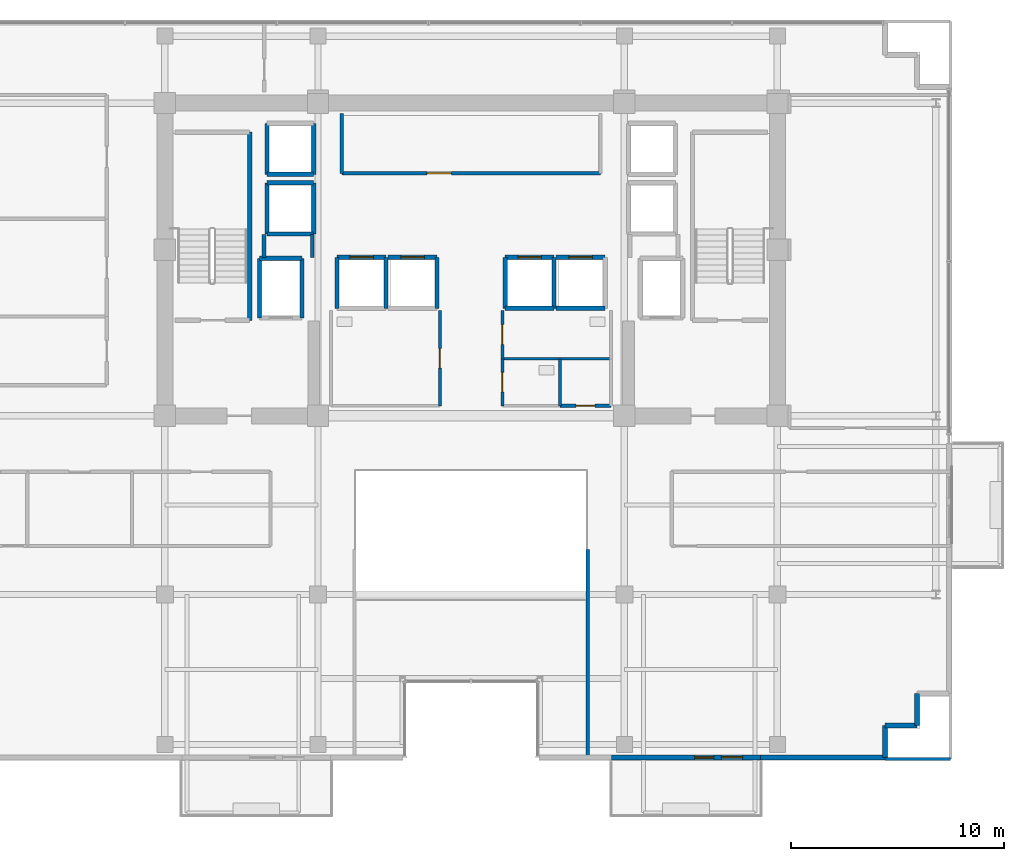
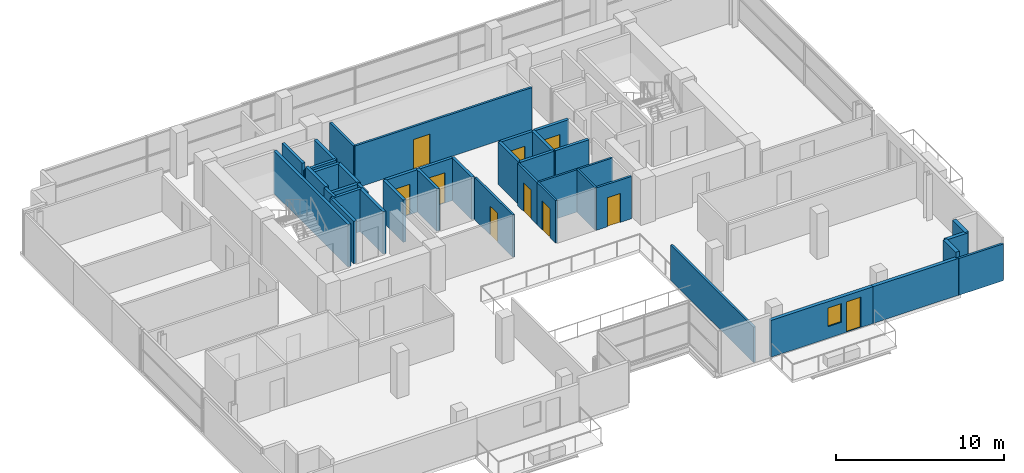
# One storey, part 19 of 25: 39 walls, 10 doors, 1 window, 11 openings.
"""IFC4 building model written with IfcOpenShell, lengths in metres."""

from ifc_helpers import new_model, si_unit, direction, frame, frame_2d, origin, place, context, subcontext, project, spatial, rectangle, extrude, source, transform, mapped, material, layer, layer_set, type_object, element, fill, save


model = new_model("IFC4")

# Units and contexts
model_context = context("Model", 3, precision=1e-05, world=origin(), true_north=direction((0.0, 1.0)))
body_context = subcontext(model_context, "Body", "Model", "MODEL_VIEW")
ifc_project = project(units=[si_unit("LENGTHUNIT", "METRE"), si_unit("AREAUNIT", "SQUARE_METRE"), si_unit("VOLUMEUNIT", "CUBIC_METRE"), si_unit("PLANEANGLEUNIT", "RADIAN"), si_unit("MASSUNIT", "GRAM", prefix="KILO")], contexts=[model_context])

# Site, building, storey
site_placement = place(None, origin())
site = spatial("IfcSite", under=ifc_project, at=site_placement, CompositionType="ELEMENT")
building_placement = place(site_placement, origin())
building = spatial("IfcBuilding", under=site, at=building_placement, Name="Zarnakvel Exchange Tower", CompositionType="ELEMENT")
storey_placement = place(building_placement, frame((0.0, 0.0, 162.699951171875)))
storey = spatial("IfcBuildingStorey", under=building, at=storey_placement, Name="L45", CompositionType="ELEMENT", Elevation=162.699951171875)

# Wall, openings, door, window
ifc_material_1 = material(Name="Precast concrete C40/50", Category="concrete")
ifc_layer_1 = layer(ifc_material_1, 0.239990234375)
ifc_layer_set_1 = layer_set([ifc_layer_1], Name="Precast concrete C40/50")
wall_type_1 = type_object("IfcWallType", Name="EW-02", PredefinedType="SOLIDWALL", material=ifc_layer_set_1)
wall_1_placement = place(storey_placement, frame((13.60009765625, -17.260009765625, 0.0), z_axis=(0.0, 0.0, 1.0), x_axis=(-1.0, 0.0, 0.0)))
wall_1 = element("IfcWall", 1, at=wall_1_placement, inside=storey, type_object=wall_type_1, Name="L45 Exterior Precast Spandrel Wall EW-BAL-L45-SE (EW-02)", PredefinedType="SOLIDWALL", context=body_context, shape_type="SweptSolid", body=[
    extrude(rectangle(XDim=7.0, YDim=0.239990234375, at=frame_2d((3.5, 0.0))), origin(), (0.0, 0.0, 1.0), 2.6650390625),
])
opening_1_placement = place(wall_1_placement, frame((0.840087890625, 0.0, 0.0)))
opening_1 = element("IfcOpeningElement", 2, at=opening_1_placement, cuts=wall_1, Name="Opening BD-L45-02", PredefinedType="OPENING", context=body_context, shape_type="SweptSolid", body=[
    extrude(rectangle(XDim=1.0, YDim=2.199951171875, at=frame_2d((0.5, 1.10009765625))), frame((0.0, 0.1298828125, 0.0), z_axis=(0.0, -1.0, 0.0), x_axis=(1.0, 0.0, 0.0)), (0.0, 0.0, 1.0), 0.260009765625),
])
opening_2_placement = place(wall_1_placement, frame((2.18994140625, 0.0, 0.85009765625)))
opening_2 = element("IfcOpeningElement", 3, at=opening_2_placement, cuts=wall_1, Name="Opening WN-06", PredefinedType="OPENING", context=body_context, shape_type="SweptSolid", body=[
    extrude(rectangle(XDim=0.89990234375, YDim=1.35009765625, at=frame_2d((0.449951171875, 0.675048828125))), frame((0.0, 0.1298828125, 0.0), z_axis=(0.0, -1.0, 0.0), x_axis=(1.0, 0.0, 0.0)), (0.0, 0.0, 1.0), 0.260009765625),
])
ifc_material_2 = material(Name="Architectural Bronze Anodised Aluminium", Category="aluminium")
door_type_1 = type_object("IfcDoorType", Name="DT-09", OperationType="NOTDEFINED", PredefinedType="DOOR", material=ifc_material_2)
shared_shape_1 = source(origin(), body_context, "Body", "SweptSolid", [
    extrude(rectangle(XDim=1.0, YDim=2.199951171875, at=frame_2d((0.5, 1.10009765625))), frame((0.0, 0.02490234375, 0.0), z_axis=(0.0, -1.0, 0.0), x_axis=(1.0, 0.0, 0.0)), (0.0, 0.0, 1.0), 0.050048828125),
])
door_1_placement = place(opening_1_placement, origin())
door_1 = element("IfcDoor", 4, at=door_1_placement, inside=storey, type_object=door_type_1, Name="L45 Planted Loggia Balcony Door BD-L45-02", OperationType="SINGLE_SWING_RIGHT", OverallHeight=2.199951171875, OverallWidth=1.0, PredefinedType="DOOR", context=body_context, shape_type="MappedRepresentation", body=[
    mapped(shared_shape_1, transform((0.0, 0.0, 0.0), x_axis=(1.0, 0.0, 0.0), y_axis=(0.0, 1.0, 0.0), z_axis=(0.0, 0.0, 1.0), scale=1.0)),
])
fill(opening_1, door_1)
ifc_material_3 = material(Name="Double Low-E Laminated Vision Glass", Category="glass")
window_type = type_object("IfcWindowType", Name="WN-06", PartitioningType="SINGLE_PANEL", PredefinedType="WINDOW", material=ifc_material_3)
shared_shape_2 = source(origin(), body_context, "Body", "SweptSolid", [
    extrude(rectangle(XDim=0.89990234375, YDim=1.35009765625, at=frame_2d((0.449951171875, 0.675048828125))), frame((0.0, 0.030029296875, 0.0), z_axis=(0.0, -1.0, 0.0), x_axis=(1.0, 0.0, 0.0)), (0.0, 0.0, 1.0), 0.06005859375),
])
window_placement = place(opening_2_placement, origin())
window = element("IfcWindow", 5, at=window_placement, inside=storey, type_object=window_type, Name="L45 Loggia Daylight Window (WN-06)", OverallHeight=1.35009765625, OverallWidth=0.89990234375, PartitioningType="SINGLE_PANEL", PredefinedType="WINDOW", context=body_context, shape_type="MappedRepresentation", body=[
    mapped(shared_shape_2, transform((0.0, 0.0, 0.0), x_axis=(1.0, 0.0, 0.0), y_axis=(0.0, 1.0, 0.0), z_axis=(0.0, 0.0, 1.0), scale=1.0)),
])
fill(opening_2, window)

# Walls
for number, where, z_axis, x_axis, name in (
    (6, (20.9599609375, -15.760009765625, 0.0), (0.0, 0.0, 1.0), (0.0, 1.0, 0.0), "L45 Exterior Precast Spandrel Wall EWC-L45-12 (EW-02)"),
    (7, (19.4599609375, -15.760009765625, 0.0), (0.0, 0.0, 1.0), (1.0, 0.0, 0.0), "L45 Exterior Precast Spandrel Wall EWC-L45-13 (EW-02)"),
    (8, (19.4599609375, -17.260009765625, 0.0), (0.0, 0.0, 1.0), (0.0, 1.0, 0.0), "L45 Exterior Precast Spandrel Wall EWC-L45-14 (EW-02)"),
):
    element("IfcWall", number, at=place(storey_placement, frame(where, z_axis=z_axis, x_axis=x_axis)), inside=storey, type_object=wall_type_1, Name=name, PredefinedType="SOLIDWALL", context=body_context, shape_type="SweptSolid", body=[
        extrude(rectangle(XDim=1.5, YDim=0.239990234375, at=frame_2d((0.75, 0.0))), origin(), (0.0, 0.0, 1.0), 3.074951171875),
    ])
wall_2_placement = place(storey_placement, frame((13.60009765625, -17.260009765625, 0.0), z_axis=(0.0, 0.0, 1.0), x_axis=(1.0, 0.0, 0.0)))
element("IfcWall", 9, at=wall_2_placement, inside=storey, type_object=wall_type_1, Name="L45 Exterior Precast Spandrel Wall EWC-L45-15 (EW-02)", PredefinedType="SOLIDWALL", context=body_context, shape_type="SweptSolid", body=[
    extrude(rectangle(XDim=5.85986328125, YDim=0.239990234375, at=frame_2d((2.929931640625, 0.0))), origin(), (0.0, 0.0, 1.0), 2.6650390625),
])

# Wall, opening, door
ifc_material_4 = material(Name="Fire-Rated Gypsum Stud Partition", Category="gypsum")
ifc_layer_2 = layer(ifc_material_4, 0.14990234375)
ifc_layer_set_2 = layer_set([ifc_layer_2], Name="Fire-Rated Gypsum Stud Partition")
wall_type_2 = type_object("IfcWallType", Name="PT-01", PredefinedType="PARTITIONING", material=ifc_layer_set_2)
wall_3_placement = place(storey_placement, frame((6.080078125, 10.199951171875, 0.0), z_axis=(0.0, 0.0, 1.0), x_axis=(-1.0, 0.0, 0.0)))
wall_3 = element("IfcWall", 10, at=wall_3_placement, inside=storey, type_object=wall_type_2, Name="L45 Partition Wall PWALL-L45-011 (PT-01)", PredefinedType="PARTITIONING", context=body_context, shape_type="SweptSolid", body=[
    extrude(rectangle(XDim=12.16015625, YDim=0.14990234375, at=frame_2d((6.080078125, 0.0))), origin(), (0.0, 0.0, 1.0), 3.074951171875),
])
opening_3_placement = place(wall_3_placement, frame((7.0048828125, 0.0, 0.0)))
opening_3 = element("IfcOpeningElement", 11, at=opening_3_placement, cuts=wall_3, Name="Opening D-L45-05", PredefinedType="OPENING", context=body_context, shape_type="SweptSolid", body=[
    extrude(rectangle(XDim=1.14990234375, YDim=2.14990234375, at=frame_2d((0.574951171875, 1.074951171875))), frame((0.0, 0.0849609375, 0.0), z_axis=(0.0, -1.0, 0.0), x_axis=(1.0, 0.0, 0.0)), (0.0, 0.0, 1.0), 0.169921875),
])
ifc_material_5 = material(Name="Painted Galvanised Steel S355", Category="steel")
door_type_2 = type_object("IfcDoorType", Name="DT-04", OperationType="NOTDEFINED", PredefinedType="DOOR", material=ifc_material_5)
shared_shape_3 = source(origin(), body_context, "Body", "SweptSolid", [
    extrude(rectangle(XDim=1.14990234375, YDim=2.14990234375, at=frame_2d((0.574951171875, 1.074951171875))), frame((0.0, 0.02490234375, 0.0), z_axis=(0.0, -1.0, 0.0), x_axis=(1.0, 0.0, 0.0)), (0.0, 0.0, 1.0), 0.050048828125),
])
door_2_placement = place(opening_3_placement, origin())
door_2 = element("IfcDoor", 12, at=door_2_placement, inside=storey, type_object=door_type_2, Name="L45 Market Data Archive Suite Door D-L45-05", OperationType="SINGLE_SWING_RIGHT", OverallHeight=2.14990234375, OverallWidth=1.14990234375, PredefinedType="DOOR", context=body_context, shape_type="MappedRepresentation", body=[
    mapped(shared_shape_3, transform((0.0, 0.0, 0.0), x_axis=(1.0, 0.0, 0.0), y_axis=(0.0, 1.0, 0.0), z_axis=(0.0, 0.0, 1.0), scale=1.0)),
])
fill(opening_3, door_2)

# Wall
wall_4_placement = place(storey_placement, frame((-6.080078125, 10.199951171875, 0.0), z_axis=(0.0, 0.0, 1.0), x_axis=(0.0, 1.0, 0.0)))
element("IfcWall", 13, at=wall_4_placement, inside=storey, type_object=wall_type_2, Name="L45 Partition Wall PWALL-L45-012 (PT-01)", PredefinedType="PARTITIONING", context=body_context, shape_type="SweptSolid", body=[
    extrude(rectangle(XDim=2.800048828125, YDim=0.14990234375, at=frame_2d((1.39990234375, 0.0))), origin(), (0.0, 0.0, 1.0), 3.074951171875),
])

# Wall, opening, door
wall_5_placement = place(storey_placement, frame((6.580078125, -0.72998046875, 0.0), z_axis=(0.0, 0.0, 1.0), x_axis=(-1.0, 0.0, 0.0)))
wall_5 = element("IfcWall", 14, at=wall_5_placement, inside=storey, type_object=wall_type_2, Name="L45 Partition Wall PWALL-L45-023 (PT-01)", PredefinedType="PARTITIONING", context=body_context, shape_type="SweptSolid", body=[
    extrude(rectangle(XDim=2.400146484375, YDim=0.14990234375, at=frame_2d((1.2001953125, 0.0))), origin(), (0.0, 0.0, 1.0), 3.074951171875),
])
opening_4_placement = place(wall_5_placement, frame((0.760009765625, 0.0, 0.0)))
opening_4 = element("IfcOpeningElement", 15, at=opening_4_placement, cuts=wall_5, Name="Opening D-L45-09", PredefinedType="OPENING", context=body_context, shape_type="SweptSolid", body=[
    extrude(rectangle(XDim=0.8798828125, YDim=2.10009765625, at=frame_2d((0.43994140625, 1.050048828125))), frame((0.0, 0.0849609375, 0.0), z_axis=(0.0, -1.0, 0.0), x_axis=(1.0, 0.0, 0.0)), (0.0, 0.0, 1.0), 0.169921875),
])
door_type_3 = type_object("IfcDoorType", Name="DT-08", OperationType="NOTDEFINED", PredefinedType="DOOR", material=ifc_material_5)
shared_shape_4 = source(origin(), body_context, "Body", "SweptSolid", [
    extrude(rectangle(XDim=0.8798828125, YDim=2.10009765625, at=frame_2d((0.43994140625, 1.050048828125))), frame((0.0, 0.02490234375, 0.0), z_axis=(0.0, -1.0, 0.0), x_axis=(1.0, 0.0, 0.0)), (0.0, 0.0, 1.0), 0.050048828125),
])
door_3_placement = place(opening_4_placement, origin())
door_3 = element("IfcDoor", 16, at=door_3_placement, inside=storey, type_object=door_type_3, Name="L45 Cleaners Store Door D-L45-09", OperationType="SINGLE_SWING_RIGHT", OverallHeight=2.10009765625, OverallWidth=0.8798828125, PredefinedType="DOOR", context=body_context, shape_type="MappedRepresentation", body=[
    mapped(shared_shape_4, transform((0.0, 0.0, 0.0), x_axis=(1.0, 0.0, 0.0), y_axis=(0.0, 1.0, 0.0), z_axis=(0.0, 0.0, 1.0), scale=1.0)),
])
fill(opening_4, door_3)

# Walls
wall_6_placement = place(storey_placement, frame((22.530029296875, -17.330078125, 0.0), z_axis=(0.0, 0.0, 1.0), x_axis=(-1.0, 0.0, 0.0)))
element("IfcWall", 17, at=wall_6_placement, inside=storey, type_object=wall_type_2, Name="L45 Partition Wall PWALL-L45-042 (PT-01)", PredefinedType="PARTITIONING", context=body_context, shape_type="SweptSolid", body=[
    extrude(rectangle(XDim=3.070068359375, YDim=0.14990234375, at=frame_2d((1.53515625, 0.0))), origin(), (0.0, 0.0, 1.0), 2.6650390625),
])
wall_7_placement = place(storey_placement, frame((5.47998046875, -17.330078125, 0.0), z_axis=(0.0, 0.0, 1.0), x_axis=(0.0, 1.0, 0.0)))
element("IfcWall", 18, at=wall_7_placement, inside=storey, type_object=wall_type_2, Name="L45 Partition Wall PWALL-L45-043 (PT-01)", PredefinedType="PARTITIONING", context=body_context, shape_type="SweptSolid", body=[
    extrude(rectangle(XDim=9.85009765625, YDim=0.14990234375, at=frame_2d((4.925048828125, 0.0))), origin(), (0.0, 0.0, 1.0), 2.56494140625),
])
ifc_layer_3 = layer(ifc_material_4, 0.179931640625)
ifc_layer_set_3 = layer_set([ifc_layer_3], Name="Fire-Rated Gypsum Stud Partition")
wall_type_3 = type_object("IfcWallType", Name="PT-02", PredefinedType="PARTITIONING", material=ifc_layer_set_3)
wall_8_placement = place(storey_placement, frame((-9.72998046875, 6.239990234375, 0.0), z_axis=(0.0, 0.0, 1.0), x_axis=(0.0, 1.0, 0.0)))
element("IfcWall", 19, at=wall_8_placement, inside=storey, type_object=wall_type_3, Name="L45 Partition Wall PWALL-L45-007 (PT-02)", PredefinedType="PARTITIONING", context=body_context, shape_type="SweptSolid", body=[
    extrude(rectangle(XDim=1.090087890625, YDim=0.179931640625, at=frame_2d((0.544921875, 0.0))), origin(), (0.0, 0.0, 1.0), 3.074951171875),
])
wall_9_placement = place(storey_placement, frame((-7.469970703125, 7.330078125, 0.0), z_axis=(0.0, 0.0, 1.0), x_axis=(0.0, -1.0, 0.0)))
element("IfcWall", 20, at=wall_9_placement, inside=storey, type_object=wall_type_3, Name="L45 Partition Wall PWALL-L45-008 (PT-02)", PredefinedType="PARTITIONING", context=body_context, shape_type="SweptSolid", body=[
    extrude(rectangle(XDim=1.090087890625, YDim=0.179931640625, at=frame_2d((0.544921875, 0.0))), origin(), (0.0, 0.0, 1.0), 2.56494140625),
])

# Wall, opening, door
ifc_material_6 = material(Name="Moisture-Resistant Tile-Faced Partition", Category="gypsum")
ifc_layer_4 = layer(ifc_material_6, 0.135009765625)
ifc_layer_set_4 = layer_set([ifc_layer_4], Name="Moisture-Resistant Tile-Faced Partition")
wall_type_4 = type_object("IfcWallType", Name="PT-03", PredefinedType="PARTITIONING", material=ifc_layer_set_4)
wall_10_placement = place(storey_placement, frame((-1.469970703125, 3.760009765625, 0.0), z_axis=(0.0, 0.0, 1.0), x_axis=(0.0, -1.0, 0.0)))
wall_10 = element("IfcWall", 21, at=wall_10_placement, inside=storey, type_object=wall_type_4, Name="L45 Partition Wall PWALL-L45-016 (PT-03)", PredefinedType="PARTITIONING", context=body_context, shape_type="SweptSolid", body=[
    extrude(rectangle(XDim=4.489990234375, YDim=0.135009765625, at=frame_2d((2.2451171875, 0.0))), origin(), (0.0, 0.0, 1.0), 3.074951171875),
])
opening_5_placement = place(wall_10_placement, frame((1.800048828125, 0.0, 0.0)))
opening_5 = element("IfcOpeningElement", 22, at=opening_5_placement, cuts=wall_10, Name="Opening D-L45-06", PredefinedType="OPENING", context=body_context, shape_type="SweptSolid", body=[
    extrude(rectangle(XDim=0.919921875, YDim=2.10009765625, at=frame_2d((0.4599609375, 1.050048828125))), frame((0.0, 0.077392578125, 0.0), z_axis=(0.0, -1.0, 0.0), x_axis=(1.0, 0.0, 0.0)), (0.0, 0.0, 1.0), 0.155029296875),
])
ifc_material_7 = material(Name="Moisture-Resistant Laminate Timber", Category="wood")
door_type_4 = type_object("IfcDoorType", Name="DT-07", OperationType="NOTDEFINED", PredefinedType="DOOR", material=ifc_material_7)
shared_shape_5 = source(origin(), body_context, "Body", "SweptSolid", [
    extrude(rectangle(XDim=0.919921875, YDim=2.10009765625, at=frame_2d((0.4599609375, 1.050048828125))), frame((0.0, 0.02490234375, 0.0), z_axis=(0.0, -1.0, 0.0), x_axis=(1.0, 0.0, 0.0)), (0.0, 0.0, 1.0), 0.050048828125),
])
door_4_placement = place(opening_5_placement, origin())
door_4 = element("IfcDoor", 23, at=door_4_placement, inside=storey, type_object=door_type_4, Name="L45 Male Toilet Door D-L45-06", OperationType="SINGLE_SWING_LEFT", OverallHeight=2.10009765625, OverallWidth=0.919921875, PredefinedType="DOOR", context=body_context, shape_type="MappedRepresentation", body=[
    mapped(shared_shape_5, transform((0.0, 0.0, 0.0), x_axis=(1.0, 0.0, 0.0), y_axis=(0.0, 1.0, 0.0), z_axis=(0.0, 0.0, 1.0), scale=1.0)),
])
fill(opening_5, door_4)

# Wall
wall_11_placement = place(storey_placement, frame((6.580078125, 1.47998046875, 0.0), z_axis=(0.0, 0.0, 1.0), x_axis=(-1.0, 0.0, 0.0)))
element("IfcWall", 24, at=wall_11_placement, inside=storey, type_object=wall_type_4, Name="L45 Partition Wall PWALL-L45-017 (PT-03)", PredefinedType="PARTITIONING", context=body_context, shape_type="SweptSolid", body=[
    extrude(rectangle(XDim=5.110107421875, YDim=0.135009765625, at=frame_2d((2.55517578125, 0.0))), origin(), (0.0, 0.0, 1.0), 3.074951171875),
])

# Wall, opening, door
wall_12_placement = place(storey_placement, frame((1.469970703125, 1.47998046875, 0.0), z_axis=(0.0, 0.0, 1.0), x_axis=(0.0, 1.0, 0.0)))
wall_12 = element("IfcWall", 25, at=wall_12_placement, inside=storey, type_object=wall_type_4, Name="L45 Partition Wall PWALL-L45-018 (PT-03)", PredefinedType="PARTITIONING", context=body_context, shape_type="SweptSolid", body=[
    extrude(rectangle(XDim=2.280029296875, YDim=0.135009765625, at=frame_2d((1.14013671875, 0.0))), origin(), (0.0, 0.0, 1.0), 3.074951171875),
])
opening_6_placement = place(wall_12_placement, frame((0.679931640625, 0.0, 0.0)))
opening_6 = element("IfcOpeningElement", 26, at=opening_6_placement, cuts=wall_12, Name="Opening D-L45-07", PredefinedType="OPENING", context=body_context, shape_type="SweptSolid", body=[
    extrude(rectangle(XDim=0.919921875, YDim=2.10009765625, at=frame_2d((0.4599609375, 1.050048828125))), frame((0.0, 0.077392578125, 0.0), z_axis=(0.0, -1.0, 0.0), x_axis=(1.0, 0.0, 0.0)), (0.0, 0.0, 1.0), 0.155029296875),
])
door_5_placement = place(opening_6_placement, origin())
door_5 = element("IfcDoor", 27, at=door_5_placement, inside=storey, type_object=door_type_4, Name="L45 Female Toilet Door D-L45-07", OperationType="SINGLE_SWING_RIGHT", OverallHeight=2.10009765625, OverallWidth=0.919921875, PredefinedType="DOOR", context=body_context, shape_type="MappedRepresentation", body=[
    mapped(shared_shape_5, transform((0.0, 0.0, 0.0), x_axis=(1.0, 0.0, 0.0), y_axis=(0.0, 1.0, 0.0), z_axis=(0.0, 0.0, 1.0), scale=1.0)),
])
fill(opening_6, door_5)

wall_13_placement = place(storey_placement, frame((1.469970703125, -0.72998046875, 0.0), z_axis=(0.0, 0.0, 1.0), x_axis=(0.0, 1.0, 0.0)))
wall_13 = element("IfcWall", 28, at=wall_13_placement, inside=storey, type_object=wall_type_4, Name="L45 Partition Wall PWALL-L45-021 (PT-03)", PredefinedType="PARTITIONING", context=body_context, shape_type="SweptSolid", body=[
    extrude(rectangle(XDim=2.2099609375, YDim=0.135009765625, at=frame_2d((1.10498046875, 0.0))), origin(), (0.0, 0.0, 1.0), 3.074951171875),
])
opening_7_placement = place(wall_13_placement, frame((0.64990234375, 0.0, 0.0)))
opening_7 = element("IfcOpeningElement", 29, at=opening_7_placement, cuts=wall_13, Name="Opening D-L45-08", PredefinedType="OPENING", context=body_context, shape_type="SweptSolid", body=[
    extrude(rectangle(XDim=0.919921875, YDim=2.10009765625, at=frame_2d((0.4599609375, 1.050048828125))), frame((0.0, 0.077392578125, 0.0), z_axis=(0.0, -1.0, 0.0), x_axis=(1.0, 0.0, 0.0)), (0.0, 0.0, 1.0), 0.155029296875),
])
door_6_placement = place(opening_7_placement, origin())
door_6 = element("IfcDoor", 30, at=door_6_placement, inside=storey, type_object=door_type_4, Name="L45 Accessible Toilet Door D-L45-08", OperationType="SINGLE_SWING_LEFT", OverallHeight=2.10009765625, OverallWidth=0.919921875, PredefinedType="DOOR", context=body_context, shape_type="MappedRepresentation", body=[
    mapped(shared_shape_5, transform((0.0, 0.0, 0.0), x_axis=(1.0, 0.0, 0.0), y_axis=(0.0, 1.0, 0.0), z_axis=(0.0, 0.0, 1.0), scale=1.0)),
])
fill(opening_7, door_6)

# Walls
wall_14_placement = place(storey_placement, frame((4.179931640625, 1.47998046875, 0.0), z_axis=(0.0, 0.0, 1.0), x_axis=(0.0, -1.0, 0.0)))
element("IfcWall", 31, at=wall_14_placement, inside=storey, type_object=wall_type_4, Name="L45 Partition Wall PWALL-L45-022 (PT-03)", PredefinedType="PARTITIONING", context=body_context, shape_type="SweptSolid", body=[
    extrude(rectangle(XDim=2.2099609375, YDim=0.135009765625, at=frame_2d((1.10498046875, 0.0))), origin(), (0.0, 0.0, 1.0), 3.074951171875),
])
ifc_material_8 = material(Name="Concrete C40/50", Category="concrete")
ifc_layer_5 = layer(ifc_material_8, 0.199951171875)
ifc_layer_set_5 = layer_set([ifc_layer_5], Name="Concrete C40/50")
wall_type_5 = type_object("IfcWallType", Name="SW-01", PredefinedType="SOLIDWALL", material=ifc_layer_set_5)
wall_15_placement = place(storey_placement, frame((-9.949951171875, 6.199951171875, 0.0), z_axis=(0.0, 0.0, 1.0), x_axis=(1.0, 0.0, 0.0)))
element("IfcWall", 32, at=wall_15_placement, inside=storey, type_object=wall_type_5, Name="L45 FL-01 Hoistway Wall North", PredefinedType="SOLIDWALL", context=body_context, shape_type="SweptSolid", body=[
    extrude(rectangle(XDim=2.0, YDim=0.199951171875, at=frame_2d((1.0, 0.0))), origin(), (0.0, 0.0, 1.0), 3.074951171875),
])
for number, where, z_axis, x_axis, name in (
    (33, (-9.949951171875, 3.39990234375, 0.0), (0.0, 0.0, 1.0), (0.0, 1.0, 0.0), "L45 FL-01 Hoistway Wall West"),
    (34, (-7.949951171875, 6.199951171875, 0.0), (0.0, 0.0, 1.0), (0.0, -1.0, 0.0), "L45 FL-01 Hoistway Wall East"),
):
    element("IfcWall", number, at=place(storey_placement, frame(where, z_axis=z_axis, x_axis=x_axis)), inside=storey, type_object=wall_type_5, Name=name, PredefinedType="SOLIDWALL", context=body_context, shape_type="SweptSolid", body=[
        extrude(rectangle(XDim=2.800048828125, YDim=0.199951171875, at=frame_2d((1.39990234375, 0.0))), origin(), (0.0, 0.0, 1.0), 3.074951171875),
    ])

# Wall, opening, door
wall_16_placement = place(storey_placement, frame((-6.300048828125, 6.25, 0.0), z_axis=(0.0, 0.0, 1.0), x_axis=(1.0, 0.0, 0.0)))
wall_16 = element("IfcWall", 35, at=wall_16_placement, inside=storey, type_object=wall_type_5, Name="L45 PL-05 Hoistway Wall North", PredefinedType="SOLIDWALL", context=body_context, shape_type="SweptSolid", body=[
    extrude(rectangle(XDim=2.300048828125, YDim=0.199951171875, at=frame_2d((1.14990234375, 0.0))), origin(), (0.0, 0.0, 1.0), 3.074951171875),
])
opening_8_placement = place(wall_16_placement, frame((0.60009765625, 0.0, 0.0)))
opening_8 = element("IfcOpeningElement", 36, at=opening_8_placement, cuts=wall_16, Name="Opening LD-PL-05-L45", PredefinedType="OPENING", context=body_context, shape_type="SweptSolid", body=[
    extrude(rectangle(XDim=1.10009765625, YDim=2.199951171875, at=frame_2d((0.550048828125, 1.10009765625))), frame((0.0, 0.10986328125, 0.0), z_axis=(0.0, -1.0, 0.0), x_axis=(1.0, 0.0, 0.0)), (0.0, 0.0, 1.0), 0.219970703125),
])
door_type_5 = type_object("IfcDoorType", Name="LDT-02", OperationType="NOTDEFINED", PredefinedType="DOOR", material=ifc_material_2)
shared_shape_6 = source(origin(), body_context, "Body", "SweptSolid", [
    extrude(rectangle(XDim=1.10009765625, YDim=2.199951171875, at=frame_2d((0.550048828125, 1.10009765625))), frame((0.0, 0.02490234375, 0.0), z_axis=(0.0, -1.0, 0.0), x_axis=(1.0, 0.0, 0.0)), (0.0, 0.0, 1.0), 0.050048828125),
])
door_7_placement = place(opening_8_placement, origin())
door_7 = element("IfcDoor", 37, at=door_7_placement, inside=storey, type_object=door_type_5, Name="L45 PL-05 Lift Landing Door LD-PL-05-L45", OperationType="DOUBLE_DOOR_SLIDING", OverallHeight=2.199951171875, OverallWidth=1.10009765625, PredefinedType="DOOR", context=body_context, shape_type="MappedRepresentation", body=[
    mapped(shared_shape_6, transform((0.0, 0.0, 0.0), x_axis=(1.0, 0.0, 0.0), y_axis=(0.0, 1.0, 0.0), z_axis=(0.0, 0.0, 1.0), scale=1.0)),
])
fill(opening_8, door_7)

# Walls
for number, where, z_axis, x_axis, name in (
    (38, (-6.300048828125, 3.85009765625, 0.0), (0.0, 0.0, 1.0), (0.0, 1.0, 0.0), "L45 PL-05 Hoistway Wall West"),
    (39, (-4.0, 6.25, 0.0), (0.0, 0.0, 1.0), (0.0, -1.0, 0.0), "L45 PL-05 Hoistway Wall East"),
):
    element("IfcWall", number, at=place(storey_placement, frame(where, z_axis=z_axis, x_axis=x_axis)), inside=storey, type_object=wall_type_5, Name=name, PredefinedType="SOLIDWALL", context=body_context, shape_type="SweptSolid", body=[
        extrude(rectangle(XDim=2.39990234375, YDim=0.199951171875, at=frame_2d((1.199951171875, 0.0))), origin(), (0.0, 0.0, 1.0), 3.074951171875),
    ])

# Wall, opening, door
wall_17_placement = place(storey_placement, frame((-3.89990234375, 6.25, 0.0), z_axis=(0.0, 0.0, 1.0), x_axis=(1.0, 0.0, 0.0)))
wall_17 = element("IfcWall", 40, at=wall_17_placement, inside=storey, type_object=wall_type_5, Name="L45 PL-06 Hoistway Wall North", PredefinedType="SOLIDWALL", context=body_context, shape_type="SweptSolid", body=[
    extrude(rectangle(XDim=2.2998046875, YDim=0.199951171875, at=frame_2d((1.14990234375, 0.0))), origin(), (0.0, 0.0, 1.0), 3.074951171875),
])
opening_9_placement = place(wall_17_placement, frame((0.60009765625, 0.0, 0.0)))
opening_9 = element("IfcOpeningElement", 41, at=opening_9_placement, cuts=wall_17, Name="Opening LD-PL-06-L45", PredefinedType="OPENING", context=body_context, shape_type="SweptSolid", body=[
    extrude(rectangle(XDim=1.10009765625, YDim=2.199951171875, at=frame_2d((0.550048828125, 1.10009765625))), frame((0.0, 0.10986328125, 0.0), z_axis=(0.0, -1.0, 0.0), x_axis=(1.0, 0.0, 0.0)), (0.0, 0.0, 1.0), 0.219970703125),
])
door_8_placement = place(opening_9_placement, origin())
door_8 = element("IfcDoor", 42, at=door_8_placement, inside=storey, type_object=door_type_5, Name="L45 PL-06 Lift Landing Door LD-PL-06-L45", OperationType="DOUBLE_DOOR_SLIDING", OverallHeight=2.199951171875, OverallWidth=1.10009765625, PredefinedType="DOOR", context=body_context, shape_type="MappedRepresentation", body=[
    mapped(shared_shape_6, transform((0.0, 0.0, 0.0), x_axis=(1.0, 0.0, 0.0), y_axis=(0.0, 1.0, 0.0), z_axis=(0.0, 0.0, 1.0), scale=1.0)),
])
fill(opening_9, door_8)

# Walls
wall_18_placement = place(storey_placement, frame((-1.60009765625, 6.25, 0.0), z_axis=(0.0, 0.0, 1.0), x_axis=(0.0, -1.0, 0.0)))
element("IfcWall", 43, at=wall_18_placement, inside=storey, type_object=wall_type_5, Name="L45 PL-06 Hoistway Wall East", PredefinedType="SOLIDWALL", context=body_context, shape_type="SweptSolid", body=[
    extrude(rectangle(XDim=2.39990234375, YDim=0.199951171875, at=frame_2d((1.199951171875, 0.0))), origin(), (0.0, 0.0, 1.0), 3.074951171875),
])
wall_19_placement = place(storey_placement, frame((3.89990234375, 3.85009765625, 0.0), z_axis=(0.0, 0.0, 1.0), x_axis=(-1.0, 0.0, 0.0)))
element("IfcWall", 44, at=wall_19_placement, inside=storey, type_object=wall_type_5, Name="L45 PL-07 Hoistway Wall South", PredefinedType="SOLIDWALL", context=body_context, shape_type="SweptSolid", body=[
    extrude(rectangle(XDim=2.2998046875, YDim=0.199951171875, at=frame_2d((1.14990234375, 0.0))), origin(), (0.0, 0.0, 1.0), 3.074951171875),
])

# Wall, opening, door
wall_20_placement = place(storey_placement, frame((1.60009765625, 6.25, 0.0), z_axis=(0.0, 0.0, 1.0), x_axis=(1.0, 0.0, 0.0)))
wall_20 = element("IfcWall", 45, at=wall_20_placement, inside=storey, type_object=wall_type_5, Name="L45 PL-07 Hoistway Wall North", PredefinedType="SOLIDWALL", context=body_context, shape_type="SweptSolid", body=[
    extrude(rectangle(XDim=2.2998046875, YDim=0.199951171875, at=frame_2d((1.14990234375, 0.0))), origin(), (0.0, 0.0, 1.0), 3.074951171875),
])
opening_10_placement = place(wall_20_placement, frame((0.60009765625, 0.0, 0.0)))
opening_10 = element("IfcOpeningElement", 46, at=opening_10_placement, cuts=wall_20, Name="Opening LD-PL-07-L45", PredefinedType="OPENING", context=body_context, shape_type="SweptSolid", body=[
    extrude(rectangle(XDim=1.10009765625, YDim=2.199951171875, at=frame_2d((0.550048828125, 1.10009765625))), frame((0.0, 0.10986328125, 0.0), z_axis=(0.0, -1.0, 0.0), x_axis=(1.0, 0.0, 0.0)), (0.0, 0.0, 1.0), 0.219970703125),
])
door_9_placement = place(opening_10_placement, origin())
door_9 = element("IfcDoor", 47, at=door_9_placement, inside=storey, type_object=door_type_5, Name="L45 PL-07 Lift Landing Door LD-PL-07-L45", OperationType="DOUBLE_DOOR_SLIDING", OverallHeight=2.199951171875, OverallWidth=1.10009765625, PredefinedType="DOOR", context=body_context, shape_type="MappedRepresentation", body=[
    mapped(shared_shape_6, transform((0.0, 0.0, 0.0), x_axis=(1.0, 0.0, 0.0), y_axis=(0.0, 1.0, 0.0), z_axis=(0.0, 0.0, 1.0), scale=1.0)),
])
fill(opening_10, door_9)

# Walls
for number, where, z_axis, x_axis, name in (
    (48, (1.60009765625, 3.85009765625, 0.0), (0.0, 0.0, 1.0), (0.0, 1.0, 0.0), "L45 PL-07 Hoistway Wall West"),
    (49, (3.89990234375, 6.25, 0.0), (0.0, 0.0, 1.0), (0.0, -1.0, 0.0), "L45 PL-07 Hoistway Wall East"),
):
    element("IfcWall", number, at=place(storey_placement, frame(where, z_axis=z_axis, x_axis=x_axis)), inside=storey, type_object=wall_type_5, Name=name, PredefinedType="SOLIDWALL", context=body_context, shape_type="SweptSolid", body=[
        extrude(rectangle(XDim=2.39990234375, YDim=0.199951171875, at=frame_2d((1.199951171875, 0.0))), origin(), (0.0, 0.0, 1.0), 3.074951171875),
    ])
wall_21_placement = place(storey_placement, frame((6.300048828125, 3.85009765625, 0.0), z_axis=(0.0, 0.0, 1.0), x_axis=(-1.0, 0.0, 0.0)))
element("IfcWall", 50, at=wall_21_placement, inside=storey, type_object=wall_type_5, Name="L45 PL-08 Hoistway Wall South", PredefinedType="SOLIDWALL", context=body_context, shape_type="SweptSolid", body=[
    extrude(rectangle(XDim=2.300048828125, YDim=0.199951171875, at=frame_2d((1.14990234375, 0.0))), origin(), (0.0, 0.0, 1.0), 3.074951171875),
])

# Wall, opening, door
wall_22_placement = place(storey_placement, frame((4.0, 6.25, 0.0), z_axis=(0.0, 0.0, 1.0), x_axis=(1.0, 0.0, 0.0)))
wall_22 = element("IfcWall", 51, at=wall_22_placement, inside=storey, type_object=wall_type_5, Name="L45 PL-08 Hoistway Wall North", PredefinedType="SOLIDWALL", context=body_context, shape_type="SweptSolid", body=[
    extrude(rectangle(XDim=2.300048828125, YDim=0.199951171875, at=frame_2d((1.14990234375, 0.0))), origin(), (0.0, 0.0, 1.0), 3.074951171875),
])
opening_11_placement = place(wall_22_placement, frame((0.60009765625, 0.0, 0.0)))
opening_11 = element("IfcOpeningElement", 52, at=opening_11_placement, cuts=wall_22, Name="Opening LD-PL-08-L45", PredefinedType="OPENING", context=body_context, shape_type="SweptSolid", body=[
    extrude(rectangle(XDim=1.10009765625, YDim=2.199951171875, at=frame_2d((0.550048828125, 1.10009765625))), frame((0.0, 0.10986328125, 0.0), z_axis=(0.0, -1.0, 0.0), x_axis=(1.0, 0.0, 0.0)), (0.0, 0.0, 1.0), 0.219970703125),
])
door_10_placement = place(opening_11_placement, origin())
door_10 = element("IfcDoor", 53, at=door_10_placement, inside=storey, type_object=door_type_5, Name="L45 PL-08 Lift Landing Door LD-PL-08-L45", OperationType="DOUBLE_DOOR_SLIDING", OverallHeight=2.199951171875, OverallWidth=1.10009765625, PredefinedType="DOOR", context=body_context, shape_type="MappedRepresentation", body=[
    mapped(shared_shape_6, transform((0.0, 0.0, 0.0), x_axis=(1.0, 0.0, 0.0), y_axis=(0.0, 1.0, 0.0), z_axis=(0.0, 0.0, 1.0), scale=1.0)),
])
fill(opening_11, door_10)

# Walls
for number, where, z_axis, x_axis, name in (
    (54, (-7.39990234375, 7.35009765625, 0.0), (0.0, 0.0, 1.0), (-1.0, 0.0, 0.0), "L45 PL-09 Hoistway Wall South"),
    (55, (-9.60009765625, 9.75, 0.0), (0.0, 0.0, 1.0), (1.0, 0.0, 0.0), "L45 PL-09 Hoistway Wall North"),
):
    element("IfcWall", number, at=place(storey_placement, frame(where, z_axis=z_axis, x_axis=x_axis)), inside=storey, type_object=wall_type_5, Name=name, PredefinedType="SOLIDWALL", context=body_context, shape_type="SweptSolid", body=[
        extrude(rectangle(XDim=2.2001953125, YDim=0.199951171875, at=frame_2d((1.10009765625, 0.0))), origin(), (0.0, 0.0, 1.0), 2.56494140625),
    ])
wall_23_placement = place(storey_placement, frame((-9.60009765625, 7.35009765625, 0.0), z_axis=(0.0, 0.0, 1.0), x_axis=(0.0, 1.0, 0.0)))
element("IfcWall", 56, at=wall_23_placement, inside=storey, type_object=wall_type_5, Name="L45 PL-09 Hoistway Wall West", PredefinedType="SOLIDWALL", context=body_context, shape_type="SweptSolid", body=[
    extrude(rectangle(XDim=2.39990234375, YDim=0.199951171875, at=frame_2d((1.199951171875, 0.0))), origin(), (0.0, 0.0, 1.0), 3.074951171875),
])
wall_24_placement = place(storey_placement, frame((-7.39990234375, 9.75, 0.0), z_axis=(0.0, 0.0, 1.0), x_axis=(0.0, -1.0, 0.0)))
element("IfcWall", 57, at=wall_24_placement, inside=storey, type_object=wall_type_5, Name="L45 PL-09 Hoistway Wall East", PredefinedType="SOLIDWALL", context=body_context, shape_type="SweptSolid", body=[
    extrude(rectangle(XDim=2.39990234375, YDim=0.199951171875, at=frame_2d((1.199951171875, 0.0))), origin(), (0.0, 0.0, 1.0), 2.56494140625),
])
wall_25_placement = place(storey_placement, frame((-7.39990234375, 10.14990234375, 0.0), z_axis=(0.0, 0.0, 1.0), x_axis=(-1.0, 0.0, 0.0)))
element("IfcWall", 58, at=wall_25_placement, inside=storey, type_object=wall_type_5, Name="L45 PL-10 Hoistway Wall South", PredefinedType="SOLIDWALL", context=body_context, shape_type="SweptSolid", body=[
    extrude(rectangle(XDim=2.2001953125, YDim=0.199951171875, at=frame_2d((1.10009765625, 0.0))), origin(), (0.0, 0.0, 1.0), 2.56494140625),
])
wall_26_placement = place(storey_placement, frame((-9.60009765625, 10.14990234375, 0.0), z_axis=(0.0, 0.0, 1.0), x_axis=(0.0, 1.0, 0.0)))
element("IfcWall", 59, at=wall_26_placement, inside=storey, type_object=wall_type_5, Name="L45 PL-10 Hoistway Wall West", PredefinedType="SOLIDWALL", context=body_context, shape_type="SweptSolid", body=[
    extrude(rectangle(XDim=2.400146484375, YDim=0.199951171875, at=frame_2d((1.2001953125, 0.0))), origin(), (0.0, 0.0, 1.0), 3.074951171875),
])
wall_27_placement = place(storey_placement, frame((-7.39990234375, 12.550048828125, 0.0), z_axis=(0.0, 0.0, 1.0), x_axis=(0.0, -1.0, 0.0)))
element("IfcWall", 60, at=wall_27_placement, inside=storey, type_object=wall_type_5, Name="L45 PL-10 Hoistway Wall East", PredefinedType="SOLIDWALL", context=body_context, shape_type="SweptSolid", body=[
    extrude(rectangle(XDim=2.400146484375, YDim=0.199951171875, at=frame_2d((1.2001953125, 0.0))), origin(), (0.0, 0.0, 1.0), 2.56494140625),
])
ifc_layer_6 = layer(ifc_material_8, 0.199951171875)
ifc_layer_set_6 = layer_set([ifc_layer_6], Name="Concrete C40/50")
wall_type_6 = type_object("IfcWallType", Name="SW-02", PredefinedType="SOLIDWALL", material=ifc_layer_set_6)
wall_28_placement = place(storey_placement, frame((-10.409912109375, 12.1298828125, 0.0), z_axis=(0.0, 0.0, 1.0), x_axis=(0.0, -1.0, 0.0)))
element("IfcWall", 61, at=wall_28_placement, inside=storey, type_object=wall_type_6, Name="L45 Stairwell Core Wall PWALL-L45-003 (SW-02)", PredefinedType="SOLIDWALL", context=body_context, shape_type="SweptSolid", body=[
    extrude(rectangle(XDim=8.83984375, YDim=0.199951171875, at=frame_2d((4.419921875, 0.0))), origin(), (0.0, 0.0, 1.0), 3.074951171875),
])

save(model, "model.ifc")
